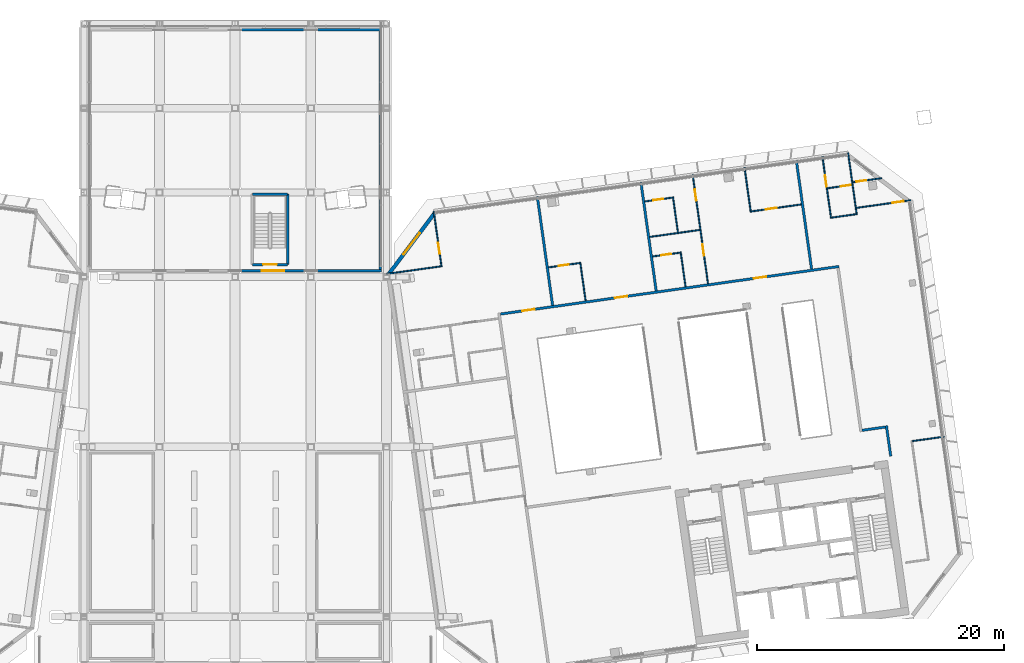
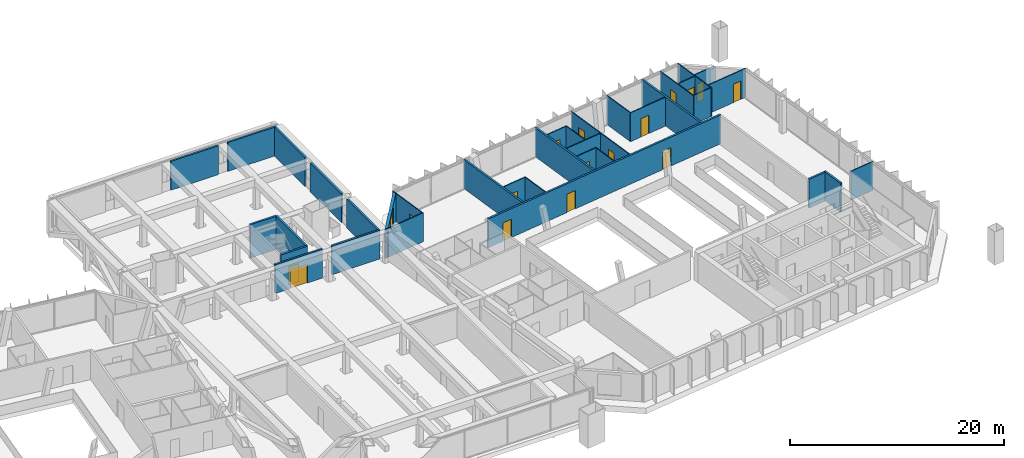
# One storey, part 20 of 25: 36 walls, 16 doors, 1 window, 17 openings.
"""IFC4 building model written with IfcOpenShell, lengths in metres."""

from ifc_helpers import new_model, si_unit, direction, frame, frame_2d, origin, place, context, subcontext, project, spatial, rectangle, extrude, material, layer, layer_set, type_object, element, fill, save


model = new_model("IFC4")

# Units and contexts
model_context = context("Model", 3, precision=1e-05, world=origin(), true_north=direction((0.0, 1.0)))
body_context = subcontext(model_context, "Body", "Model", "MODEL_VIEW")
ifc_project = project(units=[si_unit("LENGTHUNIT", "METRE"), si_unit("AREAUNIT", "SQUARE_METRE"), si_unit("VOLUMEUNIT", "CUBIC_METRE"), si_unit("PLANEANGLEUNIT", "RADIAN"), si_unit("MASSUNIT", "GRAM", prefix="KILO")], contexts=[model_context])

# Site, building, storey
site_placement = place(None, origin())
site = spatial("IfcSite", under=ifc_project, at=site_placement, CompositionType="ELEMENT")
building_placement = place(site_placement, origin())
building = spatial("IfcBuilding", under=site, at=building_placement, Name="Mirante Cascada Hotel Towers", CompositionType="ELEMENT")
storey_placement = place(building_placement, frame((0.0, 0.0, 266.0)))
storey = spatial("IfcBuildingStorey", under=building, at=storey_placement, Name="L64", CompositionType="ELEMENT", Elevation=266.0)

# Wall
ifc_material_1 = material(Name="Fire-rated plasterboard on metal studs")
ifc_layer_1 = layer(ifc_material_1, 0.2)
ifc_layer_set_1 = layer_set([ifc_layer_1], Name="Compartment wall 200 EI 120")
wall_type_1 = type_object("IfcWallType", Name="Compartment wall 200 EI 120", PredefinedType="PARTITIONING", material=ifc_layer_set_1)
wall_1_placement = place(storey_placement, frame((52.6552, -2.2494, 0.0), z_axis=(0.0, 0.0, 1.0), x_axis=(-0.9902628, -0.1392105, 0.0)))
element("IfcWall", 1, at=wall_1_placement, inside=storey, type_object=wall_type_1, Name="Wall 2-L64-06", PredefinedType="PARTITIONING", context=body_context, shape_type="SweptSolid", body=[
    extrude(rectangle(XDim=1.9, YDim=0.2, at=frame_2d((0.95, 0.0))), origin(), (0.0, 0.0, 1.0), 3.3),
])

# Wall, openings, doors
wall_2_placement = place(storey_placement, frame((48.9088, 10.7557, 0.0), z_axis=(0.0, 0.0, 1.0), x_axis=(-0.9902681, -0.1391729, 0.0)))
wall_2 = element("IfcWall", 2, at=wall_2_placement, inside=storey, type_object=wall_type_1, Name="Wall 2-L64-14", PredefinedType="PARTITIONING", context=body_context, shape_type="SweptSolid", body=[
    extrude(rectangle(XDim=27.7001, YDim=0.2, at=frame_2d((13.85, 0.0))), origin(), (0.0, 0.0, 1.0), 3.3),
])
opening_1_placement = place(wall_2_placement, frame((24.907, 0.0, 0.0)))
opening_1 = element("IfcOpeningElement", 3, at=opening_1_placement, cuts=wall_2, Name="Opening D2-L64-06", PredefinedType="OPENING", context=body_context, shape_type="SweptSolid", body=[
    extrude(rectangle(XDim=1.0, YDim=2.1, at=frame_2d((0.5, 1.05))), frame((0.0, 0.1, 0.0), z_axis=(0.0, -1.0, 0.0), x_axis=(1.0, 0.0, 0.0)), (0.0, 0.0, 1.0), 0.2),
])
opening_2_placement = place(wall_2_placement, frame((17.3283, 0.0, 0.0)))
opening_2 = element("IfcOpeningElement", 4, at=opening_2_placement, cuts=wall_2, Name="Opening D2-L64-07", PredefinedType="OPENING", context=body_context, shape_type="SweptSolid", body=[
    extrude(rectangle(XDim=1.0, YDim=2.1, at=frame_2d((0.5, 1.05))), frame((0.0, 0.1, 0.0), z_axis=(0.0, -1.0, 0.0), x_axis=(1.0, 0.0, 0.0)), (0.0, 0.0, 1.0), 0.2),
])
opening_3_placement = place(wall_2_placement, frame((5.9714, 0.0, 0.0)))
opening_3 = element("IfcOpeningElement", 5, at=opening_3_placement, cuts=wall_2, Name="Opening D2-L64-08", PredefinedType="OPENING", context=body_context, shape_type="SweptSolid", body=[
    extrude(rectangle(XDim=1.0, YDim=2.1, at=frame_2d((0.5, 1.05))), frame((0.0, 0.1, 0.0), z_axis=(0.0, -1.0, 0.0), x_axis=(1.0, 0.0, 0.0)), (0.0, 0.0, 1.0), 0.2),
])
ifc_material_2 = material(Name="Fire-rated timber door leaf", Category="wood")
door_type_1 = type_object("IfcDoorType", Name="Entrance door DG1 1000x2100 EI 60", OperationType="SINGLE_SWING_LEFT", PredefinedType="DOOR", material=ifc_material_2)
door_1_placement = place(opening_1_placement, frame((1.0, 0.0, 0.0), z_axis=(0.0, 0.0, 1.0), x_axis=(-1.0, 0.0, 0.0)))
door_1 = element("IfcDoor", 6, at=door_1_placement, inside=storey, type_object=door_type_1, Name="Door D2-L64-06", OperationType="SINGLE_SWING_RIGHT", OverallHeight=2.1, OverallWidth=1.0, PredefinedType="DOOR", context=body_context, shape_type="SweptSolid", body=[
    extrude(rectangle(XDim=1.0, YDim=2.1, at=frame_2d((0.5, 1.05))), frame((0.0, 0.025, 0.0), z_axis=(0.0, -1.0, 0.0), x_axis=(1.0, 0.0, 0.0)), (0.0, 0.0, 1.0), 0.05),
])
fill(opening_1, door_1)
door_2_placement = place(opening_2_placement, frame((1.0, 0.0, 0.0), z_axis=(0.0, 0.0, 1.0), x_axis=(-1.0, 0.0, 0.0)))
door_2 = element("IfcDoor", 7, at=door_2_placement, inside=storey, type_object=door_type_1, Name="Door D2-L64-07", OperationType="SINGLE_SWING_RIGHT", OverallHeight=2.1, OverallWidth=1.0, PredefinedType="DOOR", context=body_context, shape_type="SweptSolid", body=[
    extrude(rectangle(XDim=1.0, YDim=2.1, at=frame_2d((0.5, 1.05))), frame((0.0, 0.025, 0.0), z_axis=(0.0, -1.0, 0.0), x_axis=(1.0, 0.0, 0.0)), (0.0, 0.0, 1.0), 0.05),
])
fill(opening_2, door_2)
door_3_placement = place(opening_3_placement, frame((1.0, 0.0, 0.0), z_axis=(0.0, 0.0, 1.0), x_axis=(-1.0, 0.0, 0.0)))
door_3 = element("IfcDoor", 8, at=door_3_placement, inside=storey, type_object=door_type_1, Name="Door D2-L64-08", OperationType="SINGLE_SWING_RIGHT", OverallHeight=2.1, OverallWidth=1.0, PredefinedType="DOOR", context=body_context, shape_type="SweptSolid", body=[
    extrude(rectangle(XDim=1.0, YDim=2.1, at=frame_2d((0.5, 1.05))), frame((0.0, 0.025, 0.0), z_axis=(0.0, -1.0, 0.0), x_axis=(1.0, 0.0, 0.0)), (0.0, 0.0, 1.0), 0.05),
])
fill(opening_3, door_3)

# Walls
for number, where, z_axis, x_axis, name in (
    (9, (24.4702, 16.4096, 0.0), (0.0, 0.0, 1.0), (0.1391684, -0.9902687, 0.0), "Wall 2-L64-34"),
    (10, (32.859, 17.5885, 0.0), (0.0, 0.0, 1.0), (0.1391794, -0.9902672, 0.0), "Wall 2-L64-36"),
    (11, (46.6809, 10.5436, 0.0), (0.0, 0.0, 1.0), (-0.1391684, 0.9902687, 0.0), "Wall 2-L64-41"),
):
    element("IfcWall", number, at=place(storey_placement, frame(where, z_axis=z_axis, x_axis=x_axis)), inside=storey, type_object=wall_type_1, Name=name, PredefinedType="PARTITIONING", context=body_context, shape_type="SweptSolid", body=[
        extrude(rectangle(XDim=8.9, YDim=0.2, at=frame_2d((4.45, 0.0))), origin(), (0.0, 0.0, 1.0), 3.3),
    ])
wall_3_placement = place(storey_placement, frame((52.7403, -2.1365, 0.0), z_axis=(0.0, 0.0, 1.0), x_axis=(0.1391586, -0.9902701, 0.0)))
element("IfcWall", 12, at=wall_3_placement, inside=storey, type_object=wall_type_1, Name="Wall 2-L64-44", PredefinedType="PARTITIONING", context=body_context, shape_type="SweptSolid", body=[
    extrude(rectangle(XDim=2.5, YDim=0.2, at=frame_2d((1.25, 0.0))), origin(), (0.0, 0.0, 1.0), 3.3),
])

# Wall, opening, door
ifc_material_3 = material(Name="Masonry block", Category="masonry")
ifc_layer_2 = layer(ifc_material_3, 0.2)
ifc_layer_set_2 = layer_set([ifc_layer_2], Name="Deck room wall 200 block EI 120")
wall_type_2 = type_object("IfcWallType", Name="Deck room wall 200 block EI 120", PredefinedType="PARTITIONING", material=ifc_layer_set_2)
wall_4_placement = place(storey_placement, frame((0.5, 10.41, 0.0), z_axis=(0.0, 0.0, 1.0), x_axis=(1.0, 0.0, 0.0)))
wall_4 = element("IfcWall", 13, at=wall_4_placement, inside=storey, type_object=wall_type_2, Name="Sky park fire wall L64 W21", PredefinedType="PARTITIONING", context=body_context, shape_type="SweptSolid", body=[
    extrude(rectangle(XDim=5.13, YDim=0.2, at=frame_2d((2.565, 0.0))), origin(), (0.0, 0.0, 1.0), 3.3),
])
opening_4_placement = place(wall_4_placement, frame((1.665, 0.0, 0.0)))
opening_4 = element("IfcOpeningElement", 14, at=opening_4_placement, cuts=wall_4, Name="Opening DD-64-06", PredefinedType="OPENING", context=body_context, shape_type="SweptSolid", body=[
    extrude(rectangle(XDim=1.8, YDim=2.1, at=frame_2d((0.9, 1.05))), frame((0.0, 0.1, 0.0), z_axis=(0.0, -1.0, 0.0), x_axis=(1.0, 0.0, 0.0)), (0.0, 0.0, 1.0), 0.2),
])
ifc_material_4 = material(Name="Hollow metal fire door leaf")
door_type_2 = type_object("IfcDoorType", Name="Double fire door 1800x2100 FD60 self-closing", OperationType="DOUBLE_DOOR_SINGLE_SWING", PredefinedType="DOOR", material=ifc_material_4)
door_4_placement = place(opening_4_placement, frame((1.8, 0.0, 0.0), z_axis=(0.0, 0.0, 1.0), x_axis=(-1.0, 0.0, 0.0)))
door_4 = element("IfcDoor", 15, at=door_4_placement, inside=storey, type_object=door_type_2, Name="Fire door sky park L64 d6", OperationType="DOUBLE_DOOR_SINGLE_SWING", OverallHeight=2.1, OverallWidth=1.8, PredefinedType="DOOR", context=body_context, shape_type="SweptSolid", body=[
    extrude(rectangle(XDim=0.895, YDim=2.1, at=frame_2d((0.4475, 1.05))), frame((0.0, 0.025, 0.0), z_axis=(0.0, -1.0, 0.0), x_axis=(1.0, 0.0, 0.0)), (0.0, 0.0, 1.0), 0.05),
    extrude(rectangle(XDim=0.895, YDim=2.1, at=frame_2d((1.3525, 1.05))), frame((0.0, 0.025, 0.0), z_axis=(0.0, -1.0, 0.0), x_axis=(1.0, 0.0, 0.0)), (0.0, 0.0, 1.0), 0.05),
])
fill(opening_4, door_4)

# Walls
wall_5_placement = place(storey_placement, frame((0.5, 29.91, 0.0), z_axis=(0.0, 0.0, 1.0), x_axis=(1.0, 0.0, 0.0)))
element("IfcWall", 16, at=wall_5_placement, inside=storey, type_object=wall_type_2, Name="Sky park fire wall L64 W22", PredefinedType="PARTITIONING", context=body_context, shape_type="SweptSolid", body=[
    extrude(rectangle(XDim=5.13, YDim=0.2, at=frame_2d((2.565, 0.0))), origin(), (0.0, 0.0, 1.0), 3.3),
])
for number, where, z_axis, x_axis, name in (
    (17, (6.63, 10.41, 0.0), (0.0, 0.0, 1.0), (1.0, 0.0, 0.0), "Sky park fire wall L64 W23"),
    (18, (6.63, 29.91, 0.0), (0.0, 0.0, 1.0), (1.0, 0.0, 0.0), "Sky park fire wall L64 W24"),
):
    element("IfcWall", number, at=place(storey_placement, frame(where, z_axis=z_axis, x_axis=x_axis)), inside=storey, type_object=wall_type_2, Name=name, PredefinedType="PARTITIONING", context=body_context, shape_type="SweptSolid", body=[
        extrude(rectangle(XDim=5.22, YDim=0.2, at=frame_2d((2.61, 0.0))), origin(), (0.0, 0.0, 1.0), 3.3),
    ])
wall_6_placement = place(storey_placement, frame((11.75, 10.51, 0.0), z_axis=(0.0, 0.0, 1.0), x_axis=(0.0, 1.0, 0.0)))
element("IfcWall", 19, at=wall_6_placement, inside=storey, type_object=wall_type_2, Name="Sky park fire wall L64 W26", PredefinedType="PARTITIONING", context=body_context, shape_type="SweptSolid", body=[
    extrude(rectangle(XDim=5.74, YDim=0.2, at=frame_2d((2.87, 0.0))), origin(), (0.0, 0.0, 1.0), 3.3),
])
wall_7_placement = place(storey_placement, frame((11.75, 17.25, 0.0), z_axis=(0.0, 0.0, 1.0), x_axis=(0.0, 1.0, 0.0)))
element("IfcWall", 20, at=wall_7_placement, inside=storey, type_object=wall_type_2, Name="Sky park fire wall L64 W28", PredefinedType="PARTITIONING", context=body_context, shape_type="SweptSolid", body=[
    extrude(rectangle(XDim=5.83, YDim=0.2, at=frame_2d((2.915, 0.0))), origin(), (0.0, 0.0, 1.0), 3.3),
])
wall_8_placement = place(storey_placement, frame((11.75, 24.08, 0.0), z_axis=(0.0, 0.0, 1.0), x_axis=(0.0, 1.0, 0.0)))
element("IfcWall", 21, at=wall_8_placement, inside=storey, type_object=wall_type_2, Name="Sky park fire wall L64 W30", PredefinedType="PARTITIONING", context=body_context, shape_type="SweptSolid", body=[
    extrude(rectangle(XDim=5.73, YDim=0.2, at=frame_2d((2.865, 0.0))), origin(), (0.0, 0.0, 1.0), 3.3),
])
ifc_material_5 = material(Name="Plasterboard on metal studs")
ifc_layer_3 = layer(ifc_material_5, 0.1)
ifc_layer_set_3 = layer_set([ifc_layer_3], Name="Partition 100")
wall_type_3 = type_object("IfcWallType", Name="Partition 100", PredefinedType="PARTITIONING", material=ifc_layer_set_3)
wall_9_placement = place(storey_placement, frame((54.8451, -3.389, 0.0), z_axis=(0.0, 0.0, 1.0), x_axis=(0.9902712, 0.1391507, 0.0)))
element("IfcWall", 22, at=wall_9_placement, inside=storey, type_object=wall_type_3, Name="Wall 2-L64-05", PredefinedType="PARTITIONING", context=body_context, shape_type="SweptSolid", body=[
    extrude(rectangle(XDim=2.59, YDim=0.1, at=frame_2d((1.295, 0.0))), origin(), (0.0, 0.0, 1.0), 3.3),
])

# Wall, opening, door
wall_10_placement = place(storey_placement, frame((33.807, 11.5618, 0.0), z_axis=(0.0, 0.0, 1.0), x_axis=(0.9902643, 0.1391997, 0.0)))
wall_10 = element("IfcWall", 23, at=wall_10_placement, inside=storey, type_object=wall_type_3, Name="Wall 2-L64-15", PredefinedType="PARTITIONING", context=body_context, shape_type="SweptSolid", body=[
    extrude(rectangle(XDim=2.25, YDim=0.1, at=frame_2d((1.125, 0.0))), origin(), (0.0, 0.0, 1.0), 3.3),
])
opening_5_placement = place(wall_10_placement, frame((0.7, 0.0, 0.0)))
opening_5 = element("IfcOpeningElement", 24, at=opening_5_placement, cuts=wall_10, Name="Opening D2-L64-09", PredefinedType="OPENING", context=body_context, shape_type="SweptSolid", body=[
    extrude(rectangle(XDim=0.8, YDim=2.1, at=frame_2d((0.4, 1.05))), frame((0.0, 0.05, 0.0), z_axis=(0.0, -1.0, 0.0), x_axis=(1.0, 0.0, 0.0)), (0.0, 0.0, 1.0), 0.1),
])
ifc_material_6 = material(Name="Timber door leaf", Category="wood")
door_type_3 = type_object("IfcDoorType", Name="Bathroom door DG4 800x2100", OperationType="SINGLE_SWING_LEFT", PredefinedType="DOOR", material=ifc_material_6)
door_5_placement = place(opening_5_placement, frame((0.8, 0.0, 0.0), z_axis=(0.0, 0.0, 1.0), x_axis=(-1.0, 0.0, 0.0)))
door_5 = element("IfcDoor", 25, at=door_5_placement, inside=storey, type_object=door_type_3, Name="Door D2-L64-09", OperationType="SINGLE_SWING_RIGHT", OverallHeight=2.1, OverallWidth=0.8, PredefinedType="DOOR", context=body_context, shape_type="SweptSolid", body=[
    extrude(rectangle(XDim=0.8, YDim=2.1, at=frame_2d((0.4, 1.05))), frame((0.0, 0.025, 0.0), z_axis=(0.0, -1.0, 0.0), x_axis=(1.0, 0.0, 0.0)), (0.0, 0.0, 1.0), 0.05),
])
fill(opening_5, door_5)

wall_11_placement = place(storey_placement, frame((27.9016, 11.0348, 0.0), z_axis=(0.0, 0.0, 1.0), x_axis=(-0.9902677, -0.1391755, 0.0)))
wall_11 = element("IfcWall", 26, at=wall_11_placement, inside=storey, type_object=wall_type_3, Name="Wall 2-L64-16", PredefinedType="PARTITIONING", context=body_context, shape_type="SweptSolid", body=[
    extrude(rectangle(XDim=2.55, YDim=0.1, at=frame_2d((1.275, 0.0))), origin(), (0.0, 0.0, 1.0), 3.3),
])
opening_6_placement = place(wall_11_placement, frame((0.9, 0.0, 0.0)))
opening_6 = element("IfcOpeningElement", 27, at=opening_6_placement, cuts=wall_11, Name="Opening D2-L64-10", PredefinedType="OPENING", context=body_context, shape_type="SweptSolid", body=[
    extrude(rectangle(XDim=0.8, YDim=2.1, at=frame_2d((0.4, 1.05))), frame((0.0, 0.05, 0.0), z_axis=(0.0, -1.0, 0.0), x_axis=(1.0, 0.0, 0.0)), (0.0, 0.0, 1.0), 0.1),
])
door_6_placement = place(opening_6_placement, frame((0.8, 0.0, 0.0), z_axis=(0.0, 0.0, 1.0), x_axis=(-1.0, 0.0, 0.0)))
door_6 = element("IfcDoor", 28, at=door_6_placement, inside=storey, type_object=door_type_3, Name="Door D2-L64-10", OperationType="SINGLE_SWING_RIGHT", OverallHeight=2.1, OverallWidth=0.8, PredefinedType="DOOR", context=body_context, shape_type="SweptSolid", body=[
    extrude(rectangle(XDim=0.8, YDim=2.1, at=frame_2d((0.4, 1.05))), frame((0.0, 0.025, 0.0), z_axis=(0.0, -1.0, 0.0), x_axis=(1.0, 0.0, 0.0)), (0.0, 0.0, 1.0), 0.05),
])
fill(opening_6, door_6)

# Walls
wall_12_placement = place(storey_placement, frame((48.3026, 14.7098, 0.0), z_axis=(0.0, 0.0, 1.0), x_axis=(0.990264, 0.139202, 0.0)))
element("IfcWall", 29, at=wall_12_placement, inside=storey, type_object=wall_type_3, Name="Wall 2-L64-17", PredefinedType="PARTITIONING", context=body_context, shape_type="SweptSolid", body=[
    extrude(rectangle(XDim=2.0, YDim=0.1, at=frame_2d((1.0, 0.0))), origin(), (0.0, 0.0, 1.0), 3.3),
])
wall_13_placement = place(storey_placement, frame((16.7571, 10.7813, 0.0), z_axis=(0.0, 0.0, 1.0), x_axis=(-0.9902691, -0.1391656, 0.0)))
element("IfcWall", 30, at=wall_13_placement, inside=storey, type_object=wall_type_3, Name="Wall 2-L64-18", PredefinedType="PARTITIONING", context=body_context, shape_type="SweptSolid", body=[
    extrude(rectangle(XDim=4.55, YDim=0.1, at=frame_2d((2.275, 0.0))), origin(), (0.0, 0.0, 1.0), 3.3),
])
wall_14_placement = place(storey_placement, frame((33.5843, 13.1462, 0.0), z_axis=(0.0, 0.0, 1.0), x_axis=(0.9902652, 0.1391937, 0.0)))
element("IfcWall", 31, at=wall_14_placement, inside=storey, type_object=wall_type_3, Name="Wall 2-L64-19", PredefinedType="PARTITIONING", context=body_context, shape_type="SweptSolid", body=[
    extrude(rectangle(XDim=4.0857, YDim=0.1, at=frame_2d((2.0428, 0.0))), origin(), (0.0, 0.0, 1.0), 3.3),
])

# Wall, opening, door
wall_15_placement = place(storey_placement, frame((54.7192, 16.1166, 0.0), z_axis=(0.0, 0.0, 1.0), x_axis=(-0.9902656, -0.1391904, 0.0)))
wall_15 = element("IfcWall", 32, at=wall_15_placement, inside=storey, type_object=wall_type_3, Name="Wall 2-L64-20", PredefinedType="PARTITIONING", context=body_context, shape_type="SweptSolid", body=[
    extrude(rectangle(XDim=4.45, YDim=0.1, at=frame_2d((2.225, 0.0))), origin(), (0.0, 0.0, 1.0), 3.3),
])
opening_7_placement = place(wall_15_placement, frame((0.6, 0.0, 0.0)))
opening_7 = element("IfcOpeningElement", 33, at=opening_7_placement, cuts=wall_15, Name="Opening D2-L64-11", PredefinedType="OPENING", context=body_context, shape_type="SweptSolid", body=[
    extrude(rectangle(XDim=0.9, YDim=2.1, at=frame_2d((0.45, 1.05))), frame((0.0, 0.05, 0.0), z_axis=(0.0, -1.0, 0.0), x_axis=(1.0, 0.0, 0.0)), (0.0, 0.0, 1.0), 0.1),
])
ifc_material_7 = material(Name="Timber door leaf", Category="wood")
door_type_4 = type_object("IfcDoorType", Name="Room door DG3 900x2100", OperationType="SINGLE_SWING_LEFT", PredefinedType="DOOR", material=ifc_material_7)
door_7_placement = place(opening_7_placement, origin())
door_7 = element("IfcDoor", 34, at=door_7_placement, inside=storey, type_object=door_type_4, Name="Door D2-L64-11", OperationType="SINGLE_SWING_LEFT", OverallHeight=2.1, OverallWidth=0.9, PredefinedType="DOOR", context=body_context, shape_type="SweptSolid", body=[
    extrude(rectangle(XDim=0.9, YDim=2.1, at=frame_2d((0.45, 1.05))), frame((0.0, 0.025, 0.0), z_axis=(0.0, -1.0, 0.0), x_axis=(1.0, 0.0, 0.0)), (0.0, 0.0, 1.0), 0.05),
])
fill(opening_7, door_7)

wall_16_placement = place(storey_placement, frame((41.6994, 15.1956, 0.0), z_axis=(0.0, 0.0, 1.0), x_axis=(0.990269, 0.1391666, 0.0)))
wall_16 = element("IfcWall", 35, at=wall_16_placement, inside=storey, type_object=wall_type_3, Name="Wall 2-L64-21", PredefinedType="PARTITIONING", context=body_context, shape_type="SweptSolid", body=[
    extrude(rectangle(XDim=4.1856, YDim=0.1, at=frame_2d((2.0928, 0.0))), origin(), (0.0, 0.0, 1.0), 3.3),
])
opening_8_placement = place(wall_16_placement, frame((1.2736, 0.0, 0.0)))
opening_8 = element("IfcOpeningElement", 36, at=opening_8_placement, cuts=wall_16, Name="Opening D2-L64-12", PredefinedType="OPENING", context=body_context, shape_type="SweptSolid", body=[
    extrude(rectangle(XDim=0.9, YDim=2.1, at=frame_2d((0.45, 1.05))), frame((0.0, 0.05, 0.0), z_axis=(0.0, -1.0, 0.0), x_axis=(1.0, 0.0, 0.0)), (0.0, 0.0, 1.0), 0.1),
])
door_8_placement = place(opening_8_placement, frame((0.9, 0.0, 0.0), z_axis=(0.0, 0.0, 1.0), x_axis=(-1.0, 0.0, 0.0)))
door_8 = element("IfcDoor", 37, at=door_8_placement, inside=storey, type_object=door_type_4, Name="Door D2-L64-12", OperationType="SINGLE_SWING_RIGHT", OverallHeight=2.1, OverallWidth=0.9, PredefinedType="DOOR", context=body_context, shape_type="SweptSolid", body=[
    extrude(rectangle(XDim=0.9, YDim=2.1, at=frame_2d((0.45, 1.05))), frame((0.0, 0.025, 0.0), z_axis=(0.0, -1.0, 0.0), x_axis=(1.0, 0.0, 0.0)), (0.0, 0.0, 1.0), 0.05),
])
fill(opening_8, door_8)

wall_17_placement = place(storey_placement, frame((49.9491, 17.3648, 0.0), z_axis=(0.0, 0.0, 1.0), x_axis=(-0.9902719, -0.139146, 0.0)))
wall_17 = element("IfcWall", 38, at=wall_17_placement, inside=storey, type_object=wall_type_3, Name="Wall 2-L64-22", PredefinedType="PARTITIONING", context=body_context, shape_type="SweptSolid", body=[
    extrude(rectangle(XDim=2.0001, YDim=0.1, at=frame_2d((1.0001, 0.0))), origin(), (0.0, 0.0, 1.0), 3.3),
])
opening_9_placement = place(wall_17_placement, frame((0.1, 0.0, 0.0)))
opening_9 = element("IfcOpeningElement", 39, at=opening_9_placement, cuts=wall_17, Name="Opening D2-L64-13", PredefinedType="OPENING", context=body_context, shape_type="SweptSolid", body=[
    extrude(rectangle(XDim=0.8, YDim=2.1, at=frame_2d((0.4, 1.05))), frame((0.0, 0.05, 0.0), z_axis=(0.0, -1.0, 0.0), x_axis=(1.0, 0.0, 0.0)), (0.0, 0.0, 1.0), 0.1),
])
door_9_placement = place(opening_9_placement, frame((0.8, 0.0, 0.0), z_axis=(0.0, 0.0, 1.0), x_axis=(-1.0, 0.0, 0.0)))
door_9 = element("IfcDoor", 40, at=door_9_placement, inside=storey, type_object=door_type_3, Name="Door D2-L64-13", OperationType="SINGLE_SWING_RIGHT", OverallHeight=2.1, OverallWidth=0.8, PredefinedType="DOOR", context=body_context, shape_type="SweptSolid", body=[
    extrude(rectangle(XDim=0.8, YDim=2.1, at=frame_2d((0.4, 1.05))), frame((0.0, 0.025, 0.0), z_axis=(0.0, -1.0, 0.0), x_axis=(1.0, 0.0, 0.0)), (0.0, 0.0, 1.0), 0.05),
])
fill(opening_9, door_9)

wall_18_placement = place(storey_placement, frame((50.0203, 17.5768, 0.0), z_axis=(0.0, 0.0, 1.0), x_axis=(0.9902653, 0.1391929, 0.0)))
wall_18 = element("IfcWall", 41, at=wall_18_placement, inside=storey, type_object=wall_type_3, Name="Wall 2-L64-23", PredefinedType="PARTITIONING", context=body_context, shape_type="SweptSolid", body=[
    extrude(rectangle(XDim=2.35, YDim=0.1, at=frame_2d((1.175, 0.0))), origin(), (0.0, 0.0, 1.0), 3.3),
])
opening_10_placement = place(wall_18_placement, frame((0.3, 0.0, 0.0)))
opening_10 = element("IfcOpeningElement", 42, at=opening_10_placement, cuts=wall_18, Name="Opening D2-L64-14", PredefinedType="OPENING", context=body_context, shape_type="SweptSolid", body=[
    extrude(rectangle(XDim=0.8, YDim=2.1, at=frame_2d((0.4, 1.05))), frame((0.0, 0.05, 0.0), z_axis=(0.0, -1.0, 0.0), x_axis=(1.0, 0.0, 0.0)), (0.0, 0.0, 1.0), 0.1),
])
door_10_placement = place(opening_10_placement, frame((0.8, 0.0, 0.0), z_axis=(0.0, 0.0, 1.0), x_axis=(-1.0, 0.0, 0.0)))
door_10 = element("IfcDoor", 43, at=door_10_placement, inside=storey, type_object=door_type_3, Name="Door D2-L64-14", OperationType="SINGLE_SWING_RIGHT", OverallHeight=2.1, OverallWidth=0.8, PredefinedType="DOOR", context=body_context, shape_type="SweptSolid", body=[
    extrude(rectangle(XDim=0.8, YDim=2.1, at=frame_2d((0.4, 1.05))), frame((0.0, 0.025, 0.0), z_axis=(0.0, -1.0, 0.0), x_axis=(1.0, 0.0, 0.0)), (0.0, 0.0, 1.0), 0.05),
])
fill(opening_10, door_10)

wall_19_placement = place(storey_placement, frame((35.4088, 16.3312, 0.0), z_axis=(0.0, 0.0, 1.0), x_axis=(-0.9902643, -0.1391997, 0.0)))
wall_19 = element("IfcWall", 44, at=wall_19_placement, inside=storey, type_object=wall_type_3, Name="Wall 2-L64-24", PredefinedType="PARTITIONING", context=body_context, shape_type="SweptSolid", body=[
    extrude(rectangle(XDim=2.25, YDim=0.1, at=frame_2d((1.125, 0.0))), origin(), (0.0, 0.0, 1.0), 3.3),
])
opening_11_placement = place(wall_19_placement, frame((0.75, 0.0, 0.0)))
opening_11 = element("IfcOpeningElement", 45, at=opening_11_placement, cuts=wall_19, Name="Opening D2-L64-15", PredefinedType="OPENING", context=body_context, shape_type="SweptSolid", body=[
    extrude(rectangle(XDim=0.8, YDim=2.1, at=frame_2d((0.4, 1.05))), frame((0.0, 0.05, 0.0), z_axis=(0.0, -1.0, 0.0), x_axis=(1.0, 0.0, 0.0)), (0.0, 0.0, 1.0), 0.1),
])
door_11_placement = place(opening_11_placement, origin())
door_11 = element("IfcDoor", 46, at=door_11_placement, inside=storey, type_object=door_type_3, Name="Door D2-L64-15", OperationType="SINGLE_SWING_LEFT", OverallHeight=2.1, OverallWidth=0.8, PredefinedType="DOOR", context=body_context, shape_type="SweptSolid", body=[
    extrude(rectangle(XDim=0.8, YDim=2.1, at=frame_2d((0.4, 1.05))), frame((0.0, 0.025, 0.0), z_axis=(0.0, -1.0, 0.0), x_axis=(1.0, 0.0, 0.0)), (0.0, 0.0, 1.0), 0.05),
])
fill(opening_11, door_11)

wall_20_placement = place(storey_placement, frame((16.0813, 15.2306, 0.0), z_axis=(0.0, 0.0, 1.0), x_axis=(0.1391684, -0.9902687, 0.0)))
wall_20 = element("IfcWall", 47, at=wall_20_placement, inside=storey, type_object=wall_type_3, Name="Wall 2-L64-30", PredefinedType="PARTITIONING", context=body_context, shape_type="SweptSolid", body=[
    extrude(rectangle(XDim=4.45, YDim=0.1, at=frame_2d((2.225, 0.0))), origin(), (0.0, 0.0, 1.0), 3.3),
])
opening_12_placement = place(wall_20_placement, frame((2.5833, 0.0, 0.0)))
opening_12 = element("IfcOpeningElement", 48, at=opening_12_placement, cuts=wall_20, Name="Opening D2-L64-19", PredefinedType="OPENING", context=body_context, shape_type="SweptSolid", body=[
    extrude(rectangle(XDim=0.9, YDim=2.1, at=frame_2d((0.45, 1.05))), frame((0.0, 0.05, 0.0), z_axis=(0.0, -1.0, 0.0), x_axis=(1.0, 0.0, 0.0)), (0.0, 0.0, 1.0), 0.1),
])
door_12_placement = place(opening_12_placement, origin())
door_12 = element("IfcDoor", 49, at=door_12_placement, inside=storey, type_object=door_type_4, Name="Door D2-L64-19", OperationType="SINGLE_SWING_LEFT", OverallHeight=2.1, OverallWidth=0.9, PredefinedType="DOOR", context=body_context, shape_type="SweptSolid", body=[
    extrude(rectangle(XDim=0.9, YDim=2.1, at=frame_2d((0.45, 1.05))), frame((0.0, 0.025, 0.0), z_axis=(0.0, -1.0, 0.0), x_axis=(1.0, 0.0, 0.0)), (0.0, 0.0, 1.0), 0.05),
])
fill(opening_12, door_12)

# Walls
wall_21_placement = place(storey_placement, frame((28.3825, 7.9719, 0.0), z_axis=(0.0, 0.0, 1.0), x_axis=(-0.1391721, 0.9902682, 0.0)))
element("IfcWall", 50, at=wall_21_placement, inside=storey, type_object=wall_type_3, Name="Wall 2-L64-35", PredefinedType="PARTITIONING", context=body_context, shape_type="SweptSolid", body=[
    extrude(rectangle(XDim=3.1501, YDim=0.1, at=frame_2d((1.575, 0.0))), origin(), (0.0, 0.0, 1.0), 3.3),
])
wall_22_placement = place(storey_placement, frame((36.4743, 9.1092, 0.0), z_axis=(0.0, 0.0, 1.0), x_axis=(-0.1391613, 0.9902697, 0.0)))
element("IfcWall", 51, at=wall_22_placement, inside=storey, type_object=wall_type_3, Name="Wall 2-L64-37", PredefinedType="PARTITIONING", context=body_context, shape_type="SweptSolid", body=[
    extrude(rectangle(XDim=2.8499, YDim=0.1, at=frame_2d((1.425, 0.0))), origin(), (0.0, 0.0, 1.0), 3.3),
])
wall_23_placement = place(storey_placement, frame((35.4514, 16.3876, 0.0), z_axis=(0.0, 0.0, 1.0), x_axis=(0.1391761, -0.9902676, 0.0)))
element("IfcWall", 52, at=wall_23_placement, inside=storey, type_object=wall_type_3, Name="Wall 2-L64-38", PredefinedType="PARTITIONING", context=body_context, shape_type="SweptSolid", body=[
    extrude(rectangle(XDim=2.8999, YDim=0.1, at=frame_2d((1.45, 0.0))), origin(), (0.0, 0.0, 1.0), 3.3),
])

# Wall, openings, doors
wall_24_placement = place(storey_placement, frame((38.292, 9.3646, 0.0), z_axis=(0.0, 0.0, 1.0), x_axis=(-0.1391684, 0.9902687, 0.0)))
wall_24 = element("IfcWall", 53, at=wall_24_placement, inside=storey, type_object=wall_type_3, Name="Wall 2-L64-39", PredefinedType="PARTITIONING", context=body_context, shape_type="SweptSolid", body=[
    extrude(rectangle(XDim=8.9, YDim=0.1, at=frame_2d((4.45, 0.0))), origin(), (0.0, 0.0, 1.0), 3.3),
])
opening_13_placement = place(wall_24_placement, frame((2.3, 0.0, 0.0)))
opening_13 = element("IfcOpeningElement", 54, at=opening_13_placement, cuts=wall_24, Name="Opening D2-L64-24", PredefinedType="OPENING", context=body_context, shape_type="SweptSolid", body=[
    extrude(rectangle(XDim=0.9, YDim=2.1, at=frame_2d((0.45, 1.05))), frame((0.0, 0.05, 0.0), z_axis=(0.0, -1.0, 0.0), x_axis=(1.0, 0.0, 0.0)), (0.0, 0.0, 1.0), 0.1),
])
opening_14_placement = place(wall_24_placement, frame((6.8, 0.0, 0.0)))
opening_14 = element("IfcOpeningElement", 55, at=opening_14_placement, cuts=wall_24, Name="Opening D2-L64-25", PredefinedType="OPENING", context=body_context, shape_type="SweptSolid", body=[
    extrude(rectangle(XDim=0.9, YDim=2.1, at=frame_2d((0.45, 1.05))), frame((0.0, 0.05, 0.0), z_axis=(0.0, -1.0, 0.0), x_axis=(1.0, 0.0, 0.0)), (0.0, 0.0, 1.0), 0.1),
])
door_13_placement = place(opening_13_placement, frame((0.9, 0.0, 0.0), z_axis=(0.0, 0.0, 1.0), x_axis=(-1.0, 0.0, 0.0)))
door_13 = element("IfcDoor", 56, at=door_13_placement, inside=storey, type_object=door_type_4, Name="Door D2-L64-24", OperationType="SINGLE_SWING_RIGHT", OverallHeight=2.1, OverallWidth=0.9, PredefinedType="DOOR", context=body_context, shape_type="SweptSolid", body=[
    extrude(rectangle(XDim=0.9, YDim=2.1, at=frame_2d((0.45, 1.05))), frame((0.0, 0.025, 0.0), z_axis=(0.0, -1.0, 0.0), x_axis=(1.0, 0.0, 0.0)), (0.0, 0.0, 1.0), 0.05),
])
fill(opening_13, door_13)
door_14_placement = place(opening_14_placement, frame((0.9, 0.0, 0.0), z_axis=(0.0, 0.0, 1.0), x_axis=(-1.0, 0.0, 0.0)))
door_14 = element("IfcDoor", 57, at=door_14_placement, inside=storey, type_object=door_type_4, Name="Door D2-L64-25", OperationType="SINGLE_SWING_RIGHT", OverallHeight=2.1, OverallWidth=0.9, PredefinedType="DOOR", context=body_context, shape_type="SweptSolid", body=[
    extrude(rectangle(XDim=0.9, YDim=2.1, at=frame_2d((0.45, 1.05))), frame((0.0, 0.025, 0.0), z_axis=(0.0, -1.0, 0.0), x_axis=(1.0, 0.0, 0.0)), (0.0, 0.0, 1.0), 0.05),
])
fill(opening_14, door_14)

# Wall
wall_25_placement = place(storey_placement, frame((41.2479, 18.7675, 0.0), z_axis=(0.0, 0.0, 1.0), x_axis=(0.1391573, -0.9902703, 0.0)))
element("IfcWall", 58, at=wall_25_placement, inside=storey, type_object=wall_type_3, Name="Wall 2-L64-40", PredefinedType="PARTITIONING", context=body_context, shape_type="SweptSolid", body=[
    extrude(rectangle(XDim=3.5499, YDim=0.1, at=frame_2d((1.775, 0.0))), origin(), (0.0, 0.0, 1.0), 3.3),
])

# Wall, opening, door
wall_26_placement = place(storey_placement, frame((48.26, 14.6534, 0.0), z_axis=(0.0, 0.0, 1.0), x_axis=(-0.1391699, 0.9902685, 0.0)))
wall_26 = element("IfcWall", 59, at=wall_26_placement, inside=storey, type_object=wall_type_3, Name="Wall 2-L64-43", PredefinedType="PARTITIONING", context=body_context, shape_type="SweptSolid", body=[
    extrude(rectangle(XDim=5.0499, YDim=0.1, at=frame_2d((2.525, 0.0))), origin(), (0.0, 0.0, 1.0), 3.3),
])
opening_15_placement = place(wall_26_placement, frame((2.6, 0.0, 0.0)))
opening_15 = element("IfcOpeningElement", 60, at=opening_15_placement, cuts=wall_26, Name="Opening D2-L64-27", PredefinedType="OPENING", context=body_context, shape_type="SweptSolid", body=[
    extrude(rectangle(XDim=0.9, YDim=2.1, at=frame_2d((0.45, 1.05))), frame((0.0, 0.05, 0.0), z_axis=(0.0, -1.0, 0.0), x_axis=(1.0, 0.0, 0.0)), (0.0, 0.0, 1.0), 0.1),
])
door_15_placement = place(opening_15_placement, frame((0.9, 0.0, 0.0), z_axis=(0.0, 0.0, 1.0), x_axis=(-1.0, 0.0, 0.0)))
door_15 = element("IfcDoor", 61, at=door_15_placement, inside=storey, type_object=door_type_4, Name="Door D2-L64-27", OperationType="SINGLE_SWING_RIGHT", OverallHeight=2.1, OverallWidth=0.9, PredefinedType="DOOR", context=body_context, shape_type="SweptSolid", body=[
    extrude(rectangle(XDim=0.9, YDim=2.1, at=frame_2d((0.45, 1.05))), frame((0.0, 0.025, 0.0), z_axis=(0.0, -1.0, 0.0), x_axis=(1.0, 0.0, 0.0)), (0.0, 0.0, 1.0), 0.05),
])
fill(opening_15, door_15)

# Wall
wall_27_placement = place(storey_placement, frame((50.3396, 14.9456, 0.0), z_axis=(0.0, 0.0, 1.0), x_axis=(-0.1391866, 0.9902662, 0.0)))
element("IfcWall", 62, at=wall_27_placement, inside=storey, type_object=wall_type_3, Name="Wall 2-L64-45", PredefinedType="PARTITIONING", context=body_context, shape_type="SweptSolid", body=[
    extrude(rectangle(XDim=5.0501, YDim=0.1, at=frame_2d((2.525, 0.0))), origin(), (0.0, 0.0, 1.0), 3.3),
])

# Wall, opening, window
ifc_material_8 = material(Name="Precast concrete C40/50", Category="concrete")
ifc_layer_4 = layer(ifc_material_8, 0.3)
ifc_layer_set_4 = layer_set([ifc_layer_4], Name="Precast concrete C40/50 cladding wall 300")
wall_type_4 = type_object("IfcWallType", Name="Precast concrete C40/50 cladding wall 300", PredefinedType="STANDARD", material=ifc_layer_set_4)
wall_28_placement = place(storey_placement, frame((16.1264, 15.0412, 0.0), z_axis=(0.0, 0.0, 1.0), x_axis=(-0.6018141, -0.7986362, 0.0)))
wall_28 = element("IfcWall", 63, at=wall_28_placement, inside=storey, type_object=wall_type_4, Name="Corner cladding wall T2 L64 front inner", PredefinedType="STANDARD", context=body_context, shape_type="SweptSolid", body=[
    extrude(rectangle(XDim=6.1157, YDim=0.3, at=frame_2d((3.0578, 0.0))), origin(), (0.0, 0.0, 1.0), 3.3),
])
opening_16_placement = place(wall_28_placement, frame((1.9578, 0.0, 0.6)))
opening_16 = element("IfcOpeningElement", 64, at=opening_16_placement, cuts=wall_28, Name="Opening W2-64-07", PredefinedType="OPENING", context=body_context, shape_type="SweptSolid", body=[
    extrude(rectangle(XDim=2.2, YDim=2.4, at=frame_2d((1.1, 1.2))), frame((0.0, 0.15, 0.0), z_axis=(0.0, -1.0, 0.0), x_axis=(1.0, 0.0, 0.0)), (0.0, 0.0, 1.0), 0.3),
])
ifc_material_9 = material(Name="Aluminium frame with clear double glazing", Category="aluminium")
window_type = type_object("IfcWindowType", Name="Corner suite window 2200x2400", PartitioningType="DOUBLE_PANEL_VERTICAL", PredefinedType="WINDOW", material=ifc_material_9)
window_placement = place(opening_16_placement, origin())
window = element("IfcWindow", 65, at=window_placement, inside=storey, type_object=window_type, Name="Window W2-64-07", OverallHeight=2.4, OverallWidth=2.2, PartitioningType="SINGLE_PANEL", PredefinedType="WINDOW", context=body_context, shape_type="SweptSolid", body=[
    extrude(rectangle(XDim=2.2, YDim=2.4, at=frame_2d((1.1, 1.2))), frame((0.0, 0.03, 0.0), z_axis=(0.0, -1.0, 0.0), x_axis=(1.0, 0.0, 0.0)), (0.0, 0.0, 1.0), 0.06),
])
fill(opening_16, window)

# Wall, opening, door
ifc_material_10 = material(Name="Concrete C50/60", Category="concrete")
ifc_layer_5 = layer(ifc_material_10, 0.2)
ifc_layer_set_5 = layer_set([ifc_layer_5], Name="Roof garden stair wall 200 RC C50/60")
wall_type_5 = type_object("IfcWallType", Name="Roof garden stair wall 200 RC C50/60", PredefinedType="SHEAR", material=ifc_layer_set_5)
wall_29_placement = place(storey_placement, frame((1.4, 10.91, 0.0), z_axis=(0.0, 0.0, 1.0), x_axis=(1.0, 0.0, 0.0)))
wall_29 = element("IfcWall", 66, at=wall_29_placement, inside=storey, type_object=wall_type_5, Name="Sky park fire wall L64 RG1", PredefinedType="SHEAR", context=body_context, shape_type="SweptSolid", body=[
    extrude(rectangle(XDim=2.85, YDim=0.2, at=frame_2d((1.425, 0.0))), origin(), (0.0, 0.0, 1.0), 3.8),
])
opening_17_placement = place(wall_29_placement, frame((0.875, 0.0, 0.0)))
opening_17 = element("IfcOpeningElement", 67, at=opening_17_placement, cuts=wall_29, Name="Opening DD-RG-00", PredefinedType="OPENING", context=body_context, shape_type="SweptSolid", body=[
    extrude(rectangle(XDim=1.1, YDim=2.1, at=frame_2d((0.55, 1.05))), frame((0.0, 0.1, 0.0), z_axis=(0.0, -1.0, 0.0), x_axis=(1.0, 0.0, 0.0)), (0.0, 0.0, 1.0), 0.2),
])
ifc_material_11 = material(Name="Hollow metal fire door leaf")
door_type_5 = type_object("IfcDoorType", Name="Fire door 1100x2100 FD60 self-closing", OperationType="NOTDEFINED", PredefinedType="DOOR", material=ifc_material_11)
door_16_placement = place(opening_17_placement, origin())
door_16 = element("IfcDoor", 68, at=door_16_placement, inside=storey, type_object=door_type_5, Name="Fire door sky park L64 rg1", OperationType="SINGLE_SWING_LEFT", OverallHeight=2.1, OverallWidth=1.1, PredefinedType="DOOR", context=body_context, shape_type="SweptSolid", body=[
    extrude(rectangle(XDim=1.1, YDim=2.1, at=frame_2d((0.55, 1.05))), frame((0.0, 0.025, 0.0), z_axis=(0.0, -1.0, 0.0), x_axis=(1.0, 0.0, 0.0)), (0.0, 0.0, 1.0), 0.05),
])
fill(opening_17, door_16)

# Walls
wall_30_placement = place(storey_placement, frame((4.25, 10.91, 0.0), z_axis=(0.0, 0.0, 1.0), x_axis=(0.0, 1.0, 0.0)))
element("IfcWall", 69, at=wall_30_placement, inside=storey, type_object=wall_type_5, Name="Sky park fire wall L64 RG2", PredefinedType="SHEAR", context=body_context, shape_type="SweptSolid", body=[
    extrude(rectangle(XDim=5.7, YDim=0.2, at=frame_2d((2.85, 0.0))), origin(), (0.0, 0.0, 1.0), 3.8),
])
wall_31_placement = place(storey_placement, frame((4.25, 16.61, 0.0), z_axis=(0.0, 0.0, 1.0), x_axis=(-1.0, 0.0, 0.0)))
element("IfcWall", 70, at=wall_31_placement, inside=storey, type_object=wall_type_5, Name="Sky park fire wall L64 RG3", PredefinedType="SHEAR", context=body_context, shape_type="SweptSolid", body=[
    extrude(rectangle(XDim=2.85, YDim=0.2, at=frame_2d((1.425, 0.0))), origin(), (0.0, 0.0, 1.0), 3.8),
])

save(model, "model.ifc")
